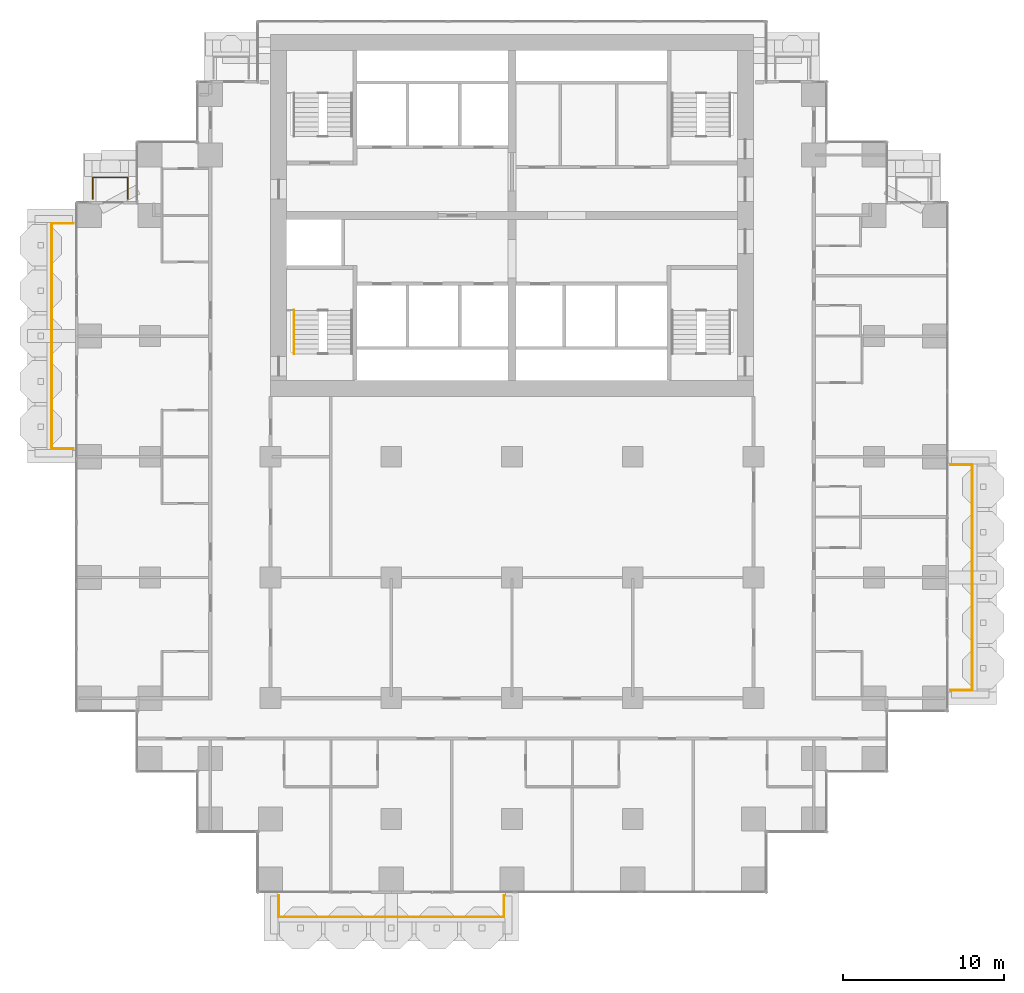
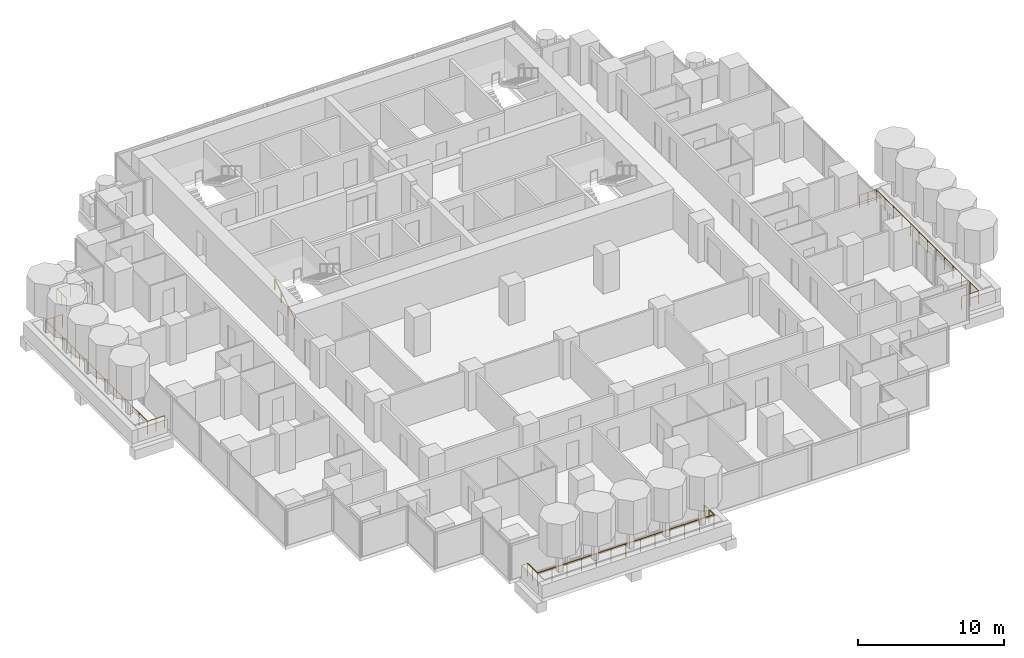
# One storey, part 16 of 18: 5 railings.
"""IFC4 building model written with IfcOpenShell, lengths in metres."""

from ifc_helpers import new_model, si_unit, direction, frame, origin, origin_2d, place, context, subcontext, project, spatial, circle, extrude, material, type_object, element, save


model = new_model("IFC4")

# Units and contexts
model_context = context("Model", 3, precision=1e-05, world=origin(), true_north=direction((0.0, 1.0)))
body_context = subcontext(model_context, "Body", "Model", "MODEL_VIEW")
ifc_project = project(units=[si_unit("LENGTHUNIT", "METRE"), si_unit("AREAUNIT", "SQUARE_METRE"), si_unit("VOLUMEUNIT", "CUBIC_METRE"), si_unit("PLANEANGLEUNIT", "RADIAN"), si_unit("MASSUNIT", "GRAM", prefix="KILO")], contexts=[model_context])

# Site, building, storey
site_placement = place(None, origin())
site = spatial("IfcSite", under=ifc_project, at=site_placement, CompositionType="ELEMENT")
building_placement = place(site_placement, origin())
building = spatial("IfcBuilding", under=site, at=building_placement, Name="Pilkhan Gate Tower", CompositionType="ELEMENT")
storey_placement = place(building_placement, frame((0.0, 0.0, 56.0)))
storey = spatial("IfcBuildingStorey", under=building, at=storey_placement, Name="L11", CompositionType="ELEMENT", Elevation=56.0)

# Railings
ifc_material_1 = material(Name="Pale anodised aluminium posts, laminated glass infill", Category="aluminium")
railing_type_1 = type_object("IfcRailingType", Name="Balcony guard G1", PredefinedType="BALUSTRADE", material=ifc_material_1)
railing_1_placement = place(storey_placement, frame((60.5, 40.25, 0.0)))
element("IfcRailing", 1, at=railing_1_placement, inside=storey, type_object=railing_type_1, Name="Balcony guard L11 S", PredefinedType="BALUSTRADE", context=body_context, shape_type="SweptSolid", body=[
    extrude(circle(Radius=0.02392578125, at=origin_2d()), frame((0.0, 0.0, 1.076171875), z_axis=(0.0, -1.0, 0.0), x_axis=(1.0, 0.0, 0.0)), (0.0, 0.0, 1.0), 1.35009765625),
    extrude(circle(Radius=0.02392578125, at=origin_2d()), frame((0.0, -1.35009765625, 1.076171875), z_axis=(1.0, 0.0, 0.0), x_axis=(0.0, 1.0, 0.0)), (0.0, 0.0, 1.0), 14.0),
    extrude(circle(Radius=0.02392578125, at=origin_2d()), frame((14.0, -1.35009765625, 1.076171875), z_axis=(0.0, 1.0, 0.0), x_axis=(-1.0, 0.0, 0.0)), (0.0, 0.0, 1.0), 1.35009765625),
    extrude(circle(Radius=0.02099609375, at=origin_2d()), origin(), (0.0, 0.0, 1.0), 1.052001953125),
    extrude(circle(Radius=0.02099609375, at=origin_2d()), frame((0.0, -0.675048828125, 0.0)), (0.0, 0.0, 1.0), 1.052001953125),
    extrude(circle(Radius=0.02099609375, at=origin_2d()), frame((0.0, -1.35009765625, 0.0)), (0.0, 0.0, 1.0), 1.052001953125),
    extrude(circle(Radius=0.02099609375, at=origin_2d()), frame((1.166748046875, -1.35009765625, 0.0)), (0.0, 0.0, 1.0), 1.052001953125),
    extrude(circle(Radius=0.02099609375, at=origin_2d()), frame((2.333251953125, -1.35009765625, 0.0)), (0.0, 0.0, 1.0), 1.052001953125),
    extrude(circle(Radius=0.02099609375, at=origin_2d()), frame((3.5, -1.35009765625, 0.0)), (0.0, 0.0, 1.0), 1.052001953125),
    extrude(circle(Radius=0.02099609375, at=origin_2d()), frame((4.666748046875, -1.35009765625, 0.0)), (0.0, 0.0, 1.0), 1.052001953125),
    extrude(circle(Radius=0.02099609375, at=origin_2d()), frame((5.833251953125, -1.35009765625, 0.0)), (0.0, 0.0, 1.0), 1.052001953125),
    extrude(circle(Radius=0.02099609375, at=origin_2d()), frame((7.0, -1.35009765625, 0.0)), (0.0, 0.0, 1.0), 1.052001953125),
    extrude(circle(Radius=0.02099609375, at=origin_2d()), frame((8.166748046875, -1.35009765625, 0.0)), (0.0, 0.0, 1.0), 1.052001953125),
    extrude(circle(Radius=0.02099609375, at=origin_2d()), frame((9.333251953125, -1.35009765625, 0.0)), (0.0, 0.0, 1.0), 1.052001953125),
    extrude(circle(Radius=0.02099609375, at=origin_2d()), frame((10.5, -1.35009765625, 0.0)), (0.0, 0.0, 1.0), 1.052001953125),
    extrude(circle(Radius=0.02099609375, at=origin_2d()), frame((11.666748046875, -1.35009765625, 0.0)), (0.0, 0.0, 1.0), 1.052001953125),
    extrude(circle(Radius=0.02099609375, at=origin_2d()), frame((12.833251953125, -1.35009765625, 0.0)), (0.0, 0.0, 1.0), 1.052001953125),
    extrude(circle(Radius=0.02099609375, at=origin_2d()), frame((14.0, -1.35009765625, 0.0)), (0.0, 0.0, 1.0), 1.052001953125),
    extrude(circle(Radius=0.02099609375, at=origin_2d()), frame((14.0, -0.675048828125, 0.0)), (0.0, 0.0, 1.0), 1.052001953125),
    extrude(circle(Radius=0.02099609375, at=origin_2d()), frame((14.0, 0.0, 0.0)), (0.0, 0.0, 1.0), 1.052001953125),
])
railing_2_placement = place(storey_placement, frame((102.25, 53.0, 0.0)))
element("IfcRailing", 2, at=railing_2_placement, inside=storey, type_object=railing_type_1, Name="Balcony guard L11 E", PredefinedType="BALUSTRADE", context=body_context, shape_type="SweptSolid", body=[
    extrude(circle(Radius=0.02392578125, at=origin_2d()), frame((0.0, 0.0, 1.076171875), z_axis=(1.0, 0.0, 0.0), x_axis=(0.0, 1.0, 0.0)), (0.0, 0.0, 1.0), 1.35009765625),
    extrude(circle(Radius=0.02392578125, at=origin_2d()), frame((1.35009765625, 0.0, 1.076171875), z_axis=(0.0, 1.0, 0.0), x_axis=(-1.0, 0.0, 0.0)), (0.0, 0.0, 1.0), 14.0),
    extrude(circle(Radius=0.02392578125, at=origin_2d()), frame((1.35009765625, 14.0, 1.076171875), z_axis=(-1.0, 0.0, 0.0), x_axis=(0.0, -1.0, 0.0)), (0.0, 0.0, 1.0), 1.35009765625),
    extrude(circle(Radius=0.02099609375, at=origin_2d()), origin(), (0.0, 0.0, 1.0), 1.052001953125),
    extrude(circle(Radius=0.02099609375, at=origin_2d()), frame((0.675048828125, 0.0, 0.0)), (0.0, 0.0, 1.0), 1.052001953125),
    extrude(circle(Radius=0.02099609375, at=origin_2d()), frame((1.35009765625, 0.0, 0.0)), (0.0, 0.0, 1.0), 1.052001953125),
    extrude(circle(Radius=0.02099609375, at=origin_2d()), frame((1.35009765625, 1.166748046875, 0.0)), (0.0, 0.0, 1.0), 1.052001953125),
    extrude(circle(Radius=0.02099609375, at=origin_2d()), frame((1.35009765625, 2.333251953125, 0.0)), (0.0, 0.0, 1.0), 1.052001953125),
    extrude(circle(Radius=0.02099609375, at=origin_2d()), frame((1.35009765625, 3.5, 0.0)), (0.0, 0.0, 1.0), 1.052001953125),
    extrude(circle(Radius=0.02099609375, at=origin_2d()), frame((1.35009765625, 4.666748046875, 0.0)), (0.0, 0.0, 1.0), 1.052001953125),
    extrude(circle(Radius=0.02099609375, at=origin_2d()), frame((1.35009765625, 5.833251953125, 0.0)), (0.0, 0.0, 1.0), 1.052001953125),
    extrude(circle(Radius=0.02099609375, at=origin_2d()), frame((1.35009765625, 7.0, 0.0)), (0.0, 0.0, 1.0), 1.052001953125),
    extrude(circle(Radius=0.02099609375, at=origin_2d()), frame((1.35009765625, 8.166748046875, 0.0)), (0.0, 0.0, 1.0), 1.052001953125),
    extrude(circle(Radius=0.02099609375, at=origin_2d()), frame((1.35009765625, 9.333251953125, 0.0)), (0.0, 0.0, 1.0), 1.052001953125),
    extrude(circle(Radius=0.02099609375, at=origin_2d()), frame((1.35009765625, 10.5, 0.0)), (0.0, 0.0, 1.0), 1.052001953125),
    extrude(circle(Radius=0.02099609375, at=origin_2d()), frame((1.35009765625, 11.666748046875, 0.0)), (0.0, 0.0, 1.0), 1.052001953125),
    extrude(circle(Radius=0.02099609375, at=origin_2d()), frame((1.35009765625, 12.833251953125, 0.0)), (0.0, 0.0, 1.0), 1.052001953125),
    extrude(circle(Radius=0.02099609375, at=origin_2d()), frame((1.35009765625, 14.0, 0.0)), (0.0, 0.0, 1.0), 1.052001953125),
    extrude(circle(Radius=0.02099609375, at=origin_2d()), frame((0.675048828125, 14.0, 0.0)), (0.0, 0.0, 1.0), 1.052001953125),
    extrude(circle(Radius=0.02099609375, at=origin_2d()), frame((0.0, 14.0, 0.0)), (0.0, 0.0, 1.0), 1.052001953125),
])
railing_3_placement = place(storey_placement, frame((48.949951171875, 83.52001953125, 0.0)))
element("IfcRailing", 3, at=railing_3_placement, inside=storey, type_object=railing_type_1, Name="Balcony guard L11 N", PredefinedType="BALUSTRADE", context=body_context, shape_type="SweptSolid", body=[
    extrude(circle(Radius=0.02392578125, at=origin_2d()), frame((0.0, 0.0, 1.076171875), z_axis=(0.0, 1.0, 0.0), x_axis=(-1.0, 0.0, 0.0)), (0.0, 0.0, 1.0), 1.330078125),
    extrude(circle(Radius=0.02392578125, at=origin_2d()), frame((0.0, 1.330078125, 1.076171875), z_axis=(1.0, 0.0, 0.0), x_axis=(0.0, 1.0, 0.0)), (0.0, 0.0, 1.0), 2.179931640625),
    extrude(circle(Radius=0.02392578125, at=origin_2d()), frame((2.179931640625, 1.330078125, 1.076171875), z_axis=(0.0, -1.0, 0.0), x_axis=(1.0, 0.0, 0.0)), (0.0, 0.0, 1.0), 1.330078125),
    extrude(circle(Radius=0.02099609375, at=origin_2d()), origin(), (0.0, 0.0, 1.0), 1.052001953125),
    extrude(circle(Radius=0.02099609375, at=origin_2d()), frame((0.0, 0.6650390625, 0.0)), (0.0, 0.0, 1.0), 1.052001953125),
    extrude(circle(Radius=0.02099609375, at=origin_2d()), frame((0.0, 1.330078125, 0.0)), (0.0, 0.0, 1.0), 1.052001953125),
    extrude(circle(Radius=0.02099609375, at=origin_2d()), frame((1.08984375, 1.330078125, 0.0)), (0.0, 0.0, 1.0), 1.052001953125),
    extrude(circle(Radius=0.02099609375, at=origin_2d()), frame((2.179931640625, 1.330078125, 0.0)), (0.0, 0.0, 1.0), 1.052001953125),
    extrude(circle(Radius=0.02099609375, at=origin_2d()), frame((2.179931640625, 0.6650390625, 0.0)), (0.0, 0.0, 1.0), 1.052001953125),
    extrude(circle(Radius=0.02099609375, at=origin_2d()), frame((2.179931640625, 0.0, 0.0)), (0.0, 0.0, 1.0), 1.052001953125),
])
railing_4_placement = place(storey_placement, frame((47.75, 68.0, 0.0)))
element("IfcRailing", 4, at=railing_4_placement, inside=storey, type_object=railing_type_1, Name="Balcony guard L11 W", PredefinedType="BALUSTRADE", context=body_context, shape_type="SweptSolid", body=[
    extrude(circle(Radius=0.02392578125, at=origin_2d()), frame((0.0, 0.0, 1.076171875), z_axis=(-1.0, 0.0, 0.0), x_axis=(0.0, -1.0, 0.0)), (0.0, 0.0, 1.0), 1.35009765625),
    extrude(circle(Radius=0.02392578125, at=origin_2d()), frame((-1.35009765625, 0.0, 1.076171875), z_axis=(0.0, 1.0, 0.0), x_axis=(-1.0, 0.0, 0.0)), (0.0, 0.0, 1.0), 14.0),
    extrude(circle(Radius=0.02392578125, at=origin_2d()), frame((-1.35009765625, 14.0, 1.076171875), z_axis=(1.0, 0.0, 0.0), x_axis=(0.0, 1.0, 0.0)), (0.0, 0.0, 1.0), 1.35009765625),
    extrude(circle(Radius=0.02099609375, at=origin_2d()), origin(), (0.0, 0.0, 1.0), 1.052001953125),
    extrude(circle(Radius=0.02099609375, at=origin_2d()), frame((-0.675048828125, 0.0, 0.0)), (0.0, 0.0, 1.0), 1.052001953125),
    extrude(circle(Radius=0.02099609375, at=origin_2d()), frame((-1.35009765625, 0.0, 0.0)), (0.0, 0.0, 1.0), 1.052001953125),
    extrude(circle(Radius=0.02099609375, at=origin_2d()), frame((-1.35009765625, 1.166748046875, 0.0)), (0.0, 0.0, 1.0), 1.052001953125),
    extrude(circle(Radius=0.02099609375, at=origin_2d()), frame((-1.35009765625, 2.333251953125, 0.0)), (0.0, 0.0, 1.0), 1.052001953125),
    extrude(circle(Radius=0.02099609375, at=origin_2d()), frame((-1.35009765625, 3.5, 0.0)), (0.0, 0.0, 1.0), 1.052001953125),
    extrude(circle(Radius=0.02099609375, at=origin_2d()), frame((-1.35009765625, 4.666748046875, 0.0)), (0.0, 0.0, 1.0), 1.052001953125),
    extrude(circle(Radius=0.02099609375, at=origin_2d()), frame((-1.35009765625, 5.833251953125, 0.0)), (0.0, 0.0, 1.0), 1.052001953125),
    extrude(circle(Radius=0.02099609375, at=origin_2d()), frame((-1.35009765625, 7.0, 0.0)), (0.0, 0.0, 1.0), 1.052001953125),
    extrude(circle(Radius=0.02099609375, at=origin_2d()), frame((-1.35009765625, 8.166748046875, 0.0)), (0.0, 0.0, 1.0), 1.052001953125),
    extrude(circle(Radius=0.02099609375, at=origin_2d()), frame((-1.35009765625, 9.333251953125, 0.0)), (0.0, 0.0, 1.0), 1.052001953125),
    extrude(circle(Radius=0.02099609375, at=origin_2d()), frame((-1.35009765625, 10.5, 0.0)), (0.0, 0.0, 1.0), 1.052001953125),
    extrude(circle(Radius=0.02099609375, at=origin_2d()), frame((-1.35009765625, 11.666748046875, 0.0)), (0.0, 0.0, 1.0), 1.052001953125),
    extrude(circle(Radius=0.02099609375, at=origin_2d()), frame((-1.35009765625, 12.833251953125, 0.0)), (0.0, 0.0, 1.0), 1.052001953125),
    extrude(circle(Radius=0.02099609375, at=origin_2d()), frame((-1.35009765625, 14.0, 0.0)), (0.0, 0.0, 1.0), 1.052001953125),
    extrude(circle(Radius=0.02099609375, at=origin_2d()), frame((-0.675048828125, 14.0, 0.0)), (0.0, 0.0, 1.0), 1.052001953125),
    extrude(circle(Radius=0.02099609375, at=origin_2d()), frame((0.0, 14.0, 0.0)), (0.0, 0.0, 1.0), 1.052001953125),
])
ifc_material_2 = material(Name="Black powder-coated steel tube", Category="steel")
railing_type_2 = type_object("IfcRailingType", Name="Stair handrail HR1", PredefinedType="HANDRAIL", material=ifc_material_2)
railing_5_placement = place(storey_placement, frame((61.449951171875, 73.89990234375, 0.0)))
element("IfcRailing", 5, at=railing_5_placement, inside=storey, type_object=railing_type_2, Name="Stair ST2 handrail L11", PredefinedType="HANDRAIL", context=body_context, shape_type="SweptSolid", body=[
    extrude(circle(Radius=0.02392578125, at=origin_2d()), frame((0.0, 0.0, 0.8759765625), z_axis=(0.0, 0.853312346642, 0.521400075823), x_axis=(-1.0, 0.0, 0.0)), (0.0, 0.0, 1.0), 3.164306640625),
    extrude(circle(Radius=0.02099609375, at=origin_2d()), origin(), (0.0, 0.0, 1.0), 0.851806640625),
    extrude(circle(Radius=0.02099609375, at=origin_2d()), frame((0.0, 0.900146484375, 0.550048828125)), (0.0, 0.0, 1.0), 0.851806640625),
    extrude(circle(Radius=0.02099609375, at=origin_2d()), frame((0.0, 1.800048828125, 1.099853515625)), (0.0, 0.0, 1.0), 0.851806640625),
    extrude(circle(Radius=0.02099609375, at=origin_2d()), frame((0.0, 2.7001953125, 1.64990234375)), (0.0, 0.0, 1.0), 0.851806640625),
])

save(model, "model.ifc")
